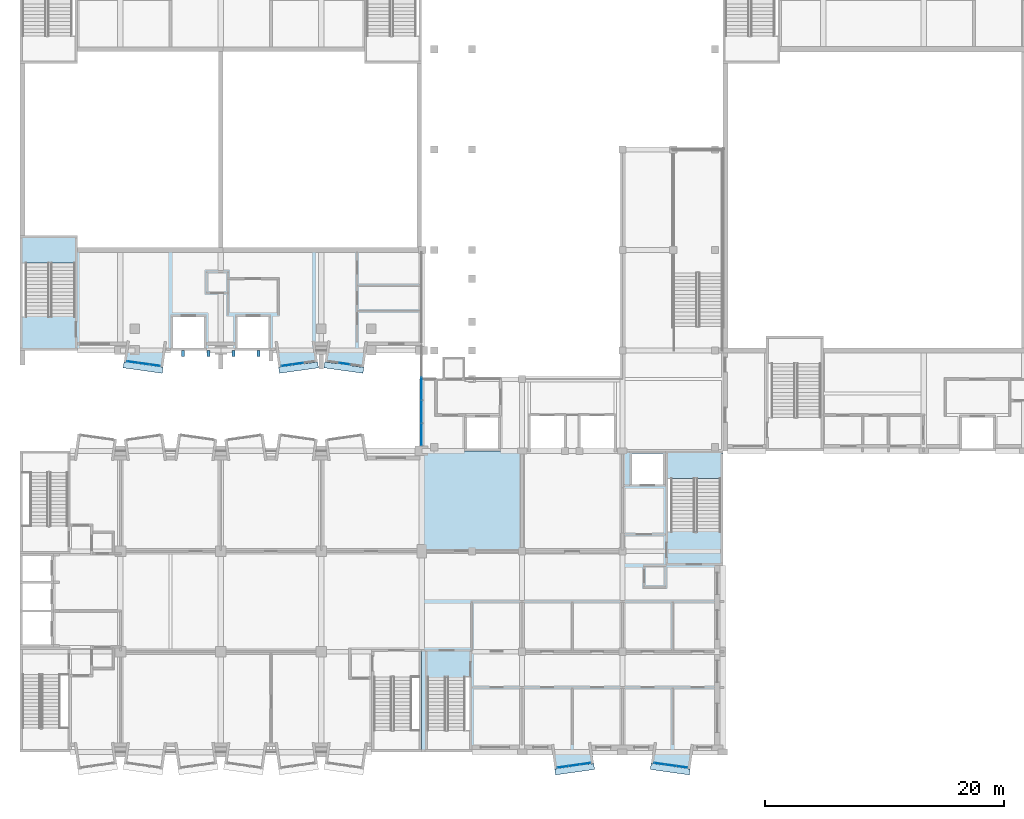
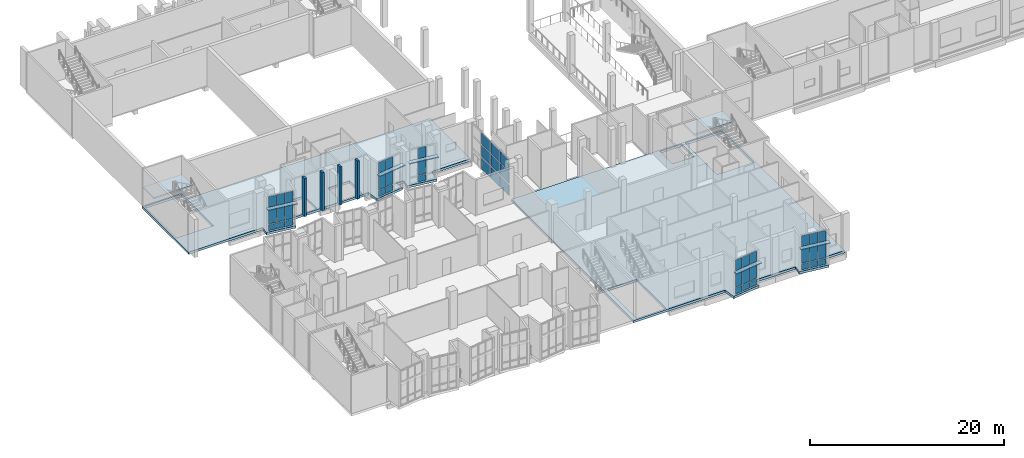
# One storey, part 22 of 91: 54 plates, 4 slabs, 8 elements without a shape of their own.
"""IFC4 building model written with IfcOpenShell, lengths in metres."""

from ifc_helpers import new_model, si_unit, direction, frame, origin, origin_2d, place, context, subcontext, project, spatial, polyline, rectangle, outline, extrude, material, layer, layer_set, type_object, element, aggregate, save


model = new_model("IFC4")

# Units and contexts
model_context = context("Model", 3, precision=1e-05, world=origin(), true_north=direction((0.0, 1.0)))
body_context = subcontext(model_context, "Body", "Model", "MODEL_VIEW")
ifc_project = project(units=[si_unit("LENGTHUNIT", "METRE"), si_unit("AREAUNIT", "SQUARE_METRE"), si_unit("VOLUMEUNIT", "CUBIC_METRE"), si_unit("PLANEANGLEUNIT", "RADIAN"), si_unit("MASSUNIT", "GRAM", prefix="KILO")], contexts=[model_context])

# Site, building, storey
site_placement = place(None, origin())
site = spatial("IfcSite", under=ifc_project, at=site_placement, CompositionType="ELEMENT")
building_placement = place(site_placement, origin())
building = spatial("IfcBuilding", under=site, at=building_placement, Name="Kiln Court Media Centre", CompositionType="ELEMENT")
storey_placement = place(building_placement, frame((0.0, 0.0, 5.39990234375)))
storey = spatial("IfcBuildingStorey", under=building, at=storey_placement, Name="L01", CompositionType="ELEMENT", Elevation=5.39990234375)

# Slabs
ifc_material_1 = material(Name="Concrete C30/37", Category="concrete")
ifc_layer_1 = layer(ifc_material_1, 0.300048828125)
ifc_layer_set_1 = layer_set([ifc_layer_1], Name="Concrete C30/37 floor slab 300")
slab_type_1 = type_object("IfcSlabType", Name="Concrete C30/37 floor slab 300", PredefinedType="FLOOR", material=ifc_layer_set_1)
slab_1_placement = place(storey_placement, frame((0.0, 0.0, -0.2998046875)))
element("IfcSlab", 1, at=slab_1_placement, inside=storey, type_object=slab_type_1, Name="L01-SL-1001", PredefinedType="FLOOR", context=body_context, shape_type="SweptSolid", body=[
    extrude(outline(polyline([(44.733154296875, -1.41845703125), (44.533203125, 0.0), (33.60009765625, 0.0), (33.60009765625, 25.199951171875), (58.800048828125, 25.199951171875), (58.800048828125, 0.0), (56.2666015625, 0.0), (56.06689453125, -1.41845703125), (52.798828125, -0.958984375), (52.933349609375, 0.0), (47.86669921875, 0.0), (48.001220703125, -0.958984375), (44.733154296875, -1.41845703125)]), holes=[polyline([(34.10009765625, 0.199951171875), (37.60009765625, 0.199951171875), (37.60009765625, 6.260009765625), (34.10009765625, 6.260009765625), (34.10009765625, 0.199951171875)]), polyline([(54.199951171875, 18.43994140625), (58.60009765625, 18.43994140625), (58.60009765625, 25.0), (54.199951171875, 25.0), (54.199951171875, 18.43994140625)]), polyline([(51.199951171875, 22.39990234375), (53.800048828125, 22.39990234375), (53.800048828125, 25.0), (51.199951171875, 25.0), (51.199951171875, 22.39990234375)])]), origin(), (0.0, 0.0, 1.0), 0.2998046875),
])
slab_2_placement = place(storey_placement, frame((0.0, 0.0, -0.2998046875)))
element("IfcSlab", 2, at=slab_2_placement, inside=storey, type_object=slab_type_1, Name="L01-SL-1002", PredefinedType="FLOOR", context=body_context, shape_type="SweptSolid", body=[
    extrude(outline(polyline([(11.966796875, 32.181396484375), (8.698974609375, 32.640869140625), (8.833251953125, 33.599609375), (0.0, 33.60009765625), (0.0, 43.199951171875), (4.800048828125, 43.199951171875), (4.800048828125, 42.0), (33.60009765625, 42.0), (33.60009765625, 33.60009765625), (28.966552734375, 33.599609375), (28.766845703125, 32.181396484375), (25.498779296875, 32.640869140625), (25.63330078125, 33.599609375), (24.766845703125, 33.599609375), (24.901123046875, 32.640869140625), (21.633056640625, 32.181396484375), (21.433349609375, 33.599609375), (12.16650390625, 33.599609375), (11.966796875, 32.181396484375)]), holes=[polyline([(12.800048828125, 33.800048828125), (15.39990234375, 33.800048828125), (15.39990234375, 36.39990234375), (12.800048828125, 36.39990234375), (12.800048828125, 33.800048828125)]), polyline([(18.199951171875, 33.800048828125), (20.800048828125, 33.800048828125), (20.800048828125, 36.39990234375), (18.199951171875, 36.39990234375), (18.199951171875, 33.800048828125)]), polyline([(0.199951171875, 36.43994140625), (4.60009765625, 36.43994140625), (4.60009765625, 43.0), (0.199951171875, 43.0), (0.199951171875, 36.43994140625)])]), origin(), (0.0, 0.0, 1.0), 0.2998046875),
])

# Plates
ifc_material_2 = material(Name="Concrete C30/37", Category="concrete")
ifc_layer_2 = layer(ifc_material_2, 0.1201171875)
ifc_layer_set_2 = layer_set([ifc_layer_2], Name="Concrete C30/37 sunshade hood 120")
plate_type_1 = type_object("IfcPlateType", Name="Concrete C30/37 sunshade hood 120", PredefinedType="USERDEFINED", material=ifc_layer_set_2)
plate_1_placement = place(storey_placement, frame((0.0, 0.0, 3.0)))
element("IfcPlate", 3, at=plate_1_placement, inside=storey, type_object=plate_type_1, Name="SUNSHADE V4-S-L01-03", ObjectType="SUNSHADE", PredefinedType="USERDEFINED", context=body_context, shape_type="SweptSolid", body=[
    extrude(outline(polyline([(8.698974609375, 32.641357421875), (11.966796875, 32.181884765625), (11.897216796875, 31.68701171875), (8.62939453125, 32.146240234375), (8.698974609375, 32.641357421875)])), origin(), (0.0, 0.0, 1.0), 0.1201171875),
])
plate_2_placement = place(storey_placement, frame((0.0, 0.0, 3.0)))
element("IfcPlate", 4, at=plate_2_placement, inside=storey, type_object=plate_type_1, Name="SUNSHADE V4-S-L01-06", ObjectType="SUNSHADE", PredefinedType="USERDEFINED", context=body_context, shape_type="SweptSolid", body=[
    extrude(outline(polyline([(21.633056640625, 32.181884765625), (24.90087890625, 32.641357421875), (24.970458984375, 32.146240234375), (21.70263671875, 31.68701171875), (21.633056640625, 32.181884765625)])), origin(), (0.0, 0.0, 1.0), 0.1201171875),
])
plate_3_placement = place(storey_placement, frame((0.0, 0.0, 3.0)))
element("IfcPlate", 5, at=plate_3_placement, inside=storey, type_object=plate_type_1, Name="SUNSHADE V4-S-L01-07", ObjectType="SUNSHADE", PredefinedType="USERDEFINED", context=body_context, shape_type="SweptSolid", body=[
    extrude(outline(polyline([(25.4990234375, 32.641357421875), (28.766845703125, 32.181884765625), (28.697265625, 31.68701171875), (25.429443359375, 32.146240234375), (25.4990234375, 32.641357421875)])), origin(), (0.0, 0.0, 1.0), 0.1201171875),
])
plate_4_placement = place(storey_placement, frame((0.0, 0.0, 3.0)))
element("IfcPlate", 6, at=plate_4_placement, inside=storey, type_object=plate_type_1, Name="SUNSHADE V6B-S-L01-02", ObjectType="SUNSHADE", PredefinedType="USERDEFINED", context=body_context, shape_type="SweptSolid", body=[
    extrude(outline(polyline([(44.733154296875, -1.41796875), (48.0009765625, -0.958740234375), (48.070556640625, -1.453857421875), (44.802734375, -1.9130859375), (44.733154296875, -1.41796875)])), origin(), (0.0, 0.0, 1.0), 0.1201171875),
])
plate_5_placement = place(storey_placement, frame((0.0, 0.0, 3.0)))
element("IfcPlate", 7, at=plate_5_placement, inside=storey, type_object=plate_type_1, Name="SUNSHADE V6B-S-L01-03", ObjectType="SUNSHADE", PredefinedType="USERDEFINED", context=body_context, shape_type="SweptSolid", body=[
    extrude(outline(polyline([(52.799072265625, -0.958740234375), (56.06689453125, -1.41796875), (55.997314453125, -1.9130859375), (52.7294921875, -1.453857421875), (52.799072265625, -0.958740234375)])), origin(), (0.0, 0.0, 1.0), 0.1201171875),
])
ifc_material_3 = material(Name="Concrete C40/50", Category="concrete")
ifc_layer_3 = layer(ifc_material_3, 0.25)
ifc_layer_set_3 = layer_set([ifc_layer_3], Name="Concrete C40/50 shading fin 250")
plate_type_2 = type_object("IfcPlateType", Name="Concrete C40/50 shading fin 250", PredefinedType="SHEET", material=ifc_layer_set_3)
for number, where, z_axis, x_axis, name in (
    (8, (13.64990234375, 33.35009765625, 0.0), (0.0, 0.0, 1.0), (1.0, 0.0, 0.0), "V4 S fin L01"),
    (9, (15.75, 33.35009765625, 0.0), (0.0, 0.0, 1.0), (1.0, 0.0, 0.0), "V4 S fin L01"),
    (10, (17.85009765625, 33.35009765625, 0.0), (0.0, 0.0, 1.0), (1.0, 0.0, 0.0), "V4 S fin L01"),
    (11, (19.949951171875, 33.35009765625, 0.0), (0.0, 0.0, 1.0), (1.0, 0.0, 0.0), "V4 S fin L01"),
):
    element("IfcPlate", number, at=place(storey_placement, frame(where, z_axis=z_axis, x_axis=x_axis)), inside=storey, type_object=plate_type_2, Name=name, PredefinedType="SHEET", context=body_context, shape_type="SweptSolid", body=[
        extrude(rectangle(XDim=0.25, YDim=0.5, at=origin_2d()), origin(), (0.0, 0.0, 1.0), 4.800048828125),
    ])

# Stair, slab
ifc_material_4 = material(Name="Concrete C40/50", Category="concrete")
stair_type = type_object("IfcStairType", Name="Concrete C40/50 dog-leg stair 2000 wide, 150 riser", PredefinedType="HALF_TURN_STAIR", material=ifc_material_4)
stair_1_placement = place(storey_placement, origin())
stair_1 = element("IfcStair", 12, at=stair_1_placement, inside=storey, type_object=stair_type, Name="ST-05 L01", PredefinedType="HALF_TURN_STAIR")
ifc_material_5 = material(Name="Concrete C40/50", Category="concrete")
ifc_layer_4 = layer(ifc_material_5, 0.199951171875)
ifc_layer_set_4 = layer_set([ifc_layer_4], Name="Concrete C40/50 stair landing 200")
slab_type_2 = type_object("IfcSlabType", Name="Concrete C40/50 stair landing 200", PredefinedType="LANDING", material=ifc_layer_set_4)
slab_3_placement = place(storey_placement, frame((0.0, 0.0, 2.2001953125)))
slab_3 = element("IfcSlab", 13, at=slab_3_placement, type_object=slab_type_2, Name="L01-ST-5004 landing 5004", PredefinedType="LANDING", context=body_context, shape_type="SweptSolid", body=[
    extrude(outline(polyline([(58.719970703125, 22.89990234375), (58.719970703125, 25.1201171875), (54.080078125, 25.1201171875), (54.080078125, 22.89990234375), (58.719970703125, 22.89990234375)])), origin(), (0.0, 0.0, 1.0), 0.199951171875),
])
aggregate(stair_1, [slab_3])

stair_2_placement = place(storey_placement, origin())
stair_2 = element("IfcStair", 14, at=stair_2_placement, inside=storey, type_object=stair_type, Name="ST-06 L01", PredefinedType="HALF_TURN_STAIR")
slab_4_placement = place(storey_placement, frame((0.0, 0.0, 2.2001953125)))
slab_4 = element("IfcSlab", 15, at=slab_4_placement, type_object=slab_type_2, Name="L01-ST-5005 landing 5005", PredefinedType="LANDING", context=body_context, shape_type="SweptSolid", body=[
    extrude(outline(polyline([(4.719970703125, 40.89990234375), (4.719970703125, 43.1201171875), (0.080078125, 43.1201171875), (0.080078125, 40.89990234375), (4.719970703125, 40.89990234375)])), origin(), (0.0, 0.0, 1.0), 0.199951171875),
])
aggregate(stair_2, [slab_4])

# Curtain wall, plates
ifc_material_6 = material(Name="Aluminium 6063-T6", Category="aluminium")
ifc_layer_5 = layer(ifc_material_6, 0.1201171875)
ifc_layer_set_5 = layer_set([ifc_layer_5], Name="Aluminium unitised bay curtain wall")
curtain_wall_type_1 = type_object("IfcCurtainWallType", Name="Aluminium unitised bay curtain wall", PredefinedType="USERDEFINED", material=ifc_layer_set_5)
curtain_wall_1_placement = place(storey_placement, origin())
curtain_wall_1 = element("IfcCurtainWall", 16, at=curtain_wall_1_placement, inside=storey, type_object=curtain_wall_type_1, Name="BAY V4-S-L01-03 front", ObjectType="UNITISED CURTAIN WALL", PredefinedType="USERDEFINED")
ifc_material_7 = material(Name="Aluminium insulated spandrel", Category="aluminium")
ifc_layer_6 = layer(ifc_material_7, 0.028076171875)
ifc_layer_set_6 = layer_set([ifc_layer_6], Name="Insulated spandrel panel 28")
plate_type_3 = type_object("IfcPlateType", Name="Insulated spandrel panel 28", PredefinedType="CURTAIN_PANEL", material=ifc_layer_set_6)
plate_6_placement = place(storey_placement, frame((9.41162109375, 32.621826171875, 0.1201171875), z_axis=(0.0, 0.0, 1.0), x_axis=(0.990269562409, -0.139162472554, 0.0)))
plate_6 = element("IfcPlate", 17, at=plate_6_placement, type_object=plate_type_3, Name="CW1-01 panel 1.1", PredefinedType="CURTAIN_PANEL", context=body_context, shape_type="SweptSolid", body=[
    extrude(rectangle(XDim=0.86669921875, YDim=0.028076171875, at=origin_2d()), origin(), (0.0, 0.0, 1.0), 0.719970703125),
])
plate_7_placement = place(storey_placement, frame((10.34423828125, 32.490966796875, 0.1201171875), z_axis=(0.0, 0.0, 1.0), x_axis=(0.990269562409, -0.139162472554, 0.0)))
plate_7 = element("IfcPlate", 18, at=plate_7_placement, type_object=plate_type_3, Name="CW1-01 panel 2.1", PredefinedType="CURTAIN_PANEL", context=body_context, shape_type="SweptSolid", body=[
    extrude(rectangle(XDim=0.896728515625, YDim=0.028076171875, at=origin_2d()), origin(), (0.0, 0.0, 1.0), 0.719970703125),
])
plate_8_placement = place(storey_placement, frame((11.276611328125, 32.35986328125, 0.1201171875), z_axis=(0.0, 0.0, 1.0), x_axis=(0.990269562409, -0.139162472554, 0.0)))
plate_8 = element("IfcPlate", 19, at=plate_8_placement, type_object=plate_type_3, Name="CW1-01 panel 3.1", PredefinedType="CURTAIN_PANEL", context=body_context, shape_type="SweptSolid", body=[
    extrude(rectangle(XDim=0.86669921875, YDim=0.028076171875, at=origin_2d()), origin(), (0.0, 0.0, 1.0), 0.719970703125),
])

curtain_wall_2_placement = place(storey_placement, origin())
curtain_wall_2 = element("IfcCurtainWall", 20, at=curtain_wall_2_placement, inside=storey, type_object=curtain_wall_type_1, Name="BAY V4-S-L01-06 front", ObjectType="UNITISED CURTAIN WALL", PredefinedType="USERDEFINED")
plate_9_placement = place(storey_placement, frame((22.3232421875, 32.35986328125, 0.1201171875), z_axis=(0.0, 0.0, 1.0), x_axis=(0.990269562409, 0.139162472554, 0.0)))
plate_9 = element("IfcPlate", 21, at=plate_9_placement, type_object=plate_type_3, Name="CW1-02 panel 1.1", PredefinedType="CURTAIN_PANEL", context=body_context, shape_type="SweptSolid", body=[
    extrude(rectangle(XDim=0.86669921875, YDim=0.028076171875, at=origin_2d()), origin(), (0.0, 0.0, 1.0), 0.719970703125),
])
plate_10_placement = place(storey_placement, frame((23.255859375, 32.490966796875, 0.1201171875), z_axis=(0.0, 0.0, 1.0), x_axis=(0.990269562409, 0.139162472554, 0.0)))
plate_10 = element("IfcPlate", 22, at=plate_10_placement, type_object=plate_type_3, Name="CW1-02 panel 2.1", PredefinedType="CURTAIN_PANEL", context=body_context, shape_type="SweptSolid", body=[
    extrude(rectangle(XDim=0.896728515625, YDim=0.028076171875, at=origin_2d()), origin(), (0.0, 0.0, 1.0), 0.719970703125),
])

# Curtain wall, plate
curtain_wall_3_placement = place(storey_placement, origin())
curtain_wall_3 = element("IfcCurtainWall", 23, at=curtain_wall_3_placement, inside=storey, type_object=curtain_wall_type_1, Name="BAY V4-S-L01-07 front", ObjectType="UNITISED CURTAIN WALL", PredefinedType="USERDEFINED")
plate_11_placement = place(storey_placement, frame((27.14404296875, 32.490966796875, 0.1201171875), z_axis=(0.0, 0.0, 1.0), x_axis=(0.990269562409, -0.139162472554, 0.0)))
plate_11 = element("IfcPlate", 24, at=plate_11_placement, type_object=plate_type_3, Name="CW1-03 panel 2.1", PredefinedType="CURTAIN_PANEL", context=body_context, shape_type="SweptSolid", body=[
    extrude(rectangle(XDim=0.896728515625, YDim=0.028076171875, at=origin_2d()), origin(), (0.0, 0.0, 1.0), 0.719970703125),
])

# Curtain wall, plates
curtain_wall_4_placement = place(storey_placement, origin())
curtain_wall_4 = element("IfcCurtainWall", 25, at=curtain_wall_4_placement, inside=storey, type_object=curtain_wall_type_1, Name="BAY V6B-S-L01-02 front", ObjectType="UNITISED CURTAIN WALL", PredefinedType="USERDEFINED")
plate_12_placement = place(storey_placement, frame((45.42333984375, -1.240234375, 0.1201171875), z_axis=(0.0, 0.0, 1.0), x_axis=(0.990269562409, 0.139162472554, 0.0)))
plate_12 = element("IfcPlate", 26, at=plate_12_placement, type_object=plate_type_3, Name="CW1-16 panel 1.1", PredefinedType="CURTAIN_PANEL", context=body_context, shape_type="SweptSolid", body=[
    extrude(rectangle(XDim=0.86669921875, YDim=0.028076171875, at=origin_2d()), origin(), (0.0, 0.0, 1.0), 0.719970703125),
])
plate_13_placement = place(storey_placement, frame((46.35595703125, -1.109130859375, 0.1201171875), z_axis=(0.0, 0.0, 1.0), x_axis=(0.990269562409, 0.139162472554, 0.0)))
plate_13 = element("IfcPlate", 27, at=plate_13_placement, type_object=plate_type_3, Name="CW1-16 panel 2.1", PredefinedType="CURTAIN_PANEL", context=body_context, shape_type="SweptSolid", body=[
    extrude(rectangle(XDim=0.896728515625, YDim=0.028076171875, at=origin_2d()), origin(), (0.0, 0.0, 1.0), 0.719970703125),
])
plate_14_placement = place(storey_placement, frame((47.288330078125, -0.97802734375, 0.1201171875), z_axis=(0.0, 0.0, 1.0), x_axis=(0.990269562409, 0.139162472554, 0.0)))
plate_14 = element("IfcPlate", 28, at=plate_14_placement, type_object=plate_type_3, Name="CW1-16 panel 3.1", PredefinedType="CURTAIN_PANEL", context=body_context, shape_type="SweptSolid", body=[
    extrude(rectangle(XDim=0.86669921875, YDim=0.028076171875, at=origin_2d()), origin(), (0.0, 0.0, 1.0), 0.719970703125),
])

curtain_wall_5_placement = place(storey_placement, origin())
curtain_wall_5 = element("IfcCurtainWall", 29, at=curtain_wall_5_placement, inside=storey, type_object=curtain_wall_type_1, Name="BAY V6B-S-L01-03 front", ObjectType="UNITISED CURTAIN WALL", PredefinedType="USERDEFINED")
plate_15_placement = place(storey_placement, frame((53.51171875, -0.97802734375, 0.1201171875), z_axis=(0.0, 0.0, 1.0), x_axis=(0.990269562409, -0.139162472554, 0.0)))
plate_15 = element("IfcPlate", 30, at=plate_15_placement, type_object=plate_type_3, Name="CW1-17 panel 1.1", PredefinedType="CURTAIN_PANEL", context=body_context, shape_type="SweptSolid", body=[
    extrude(rectangle(XDim=0.86669921875, YDim=0.028076171875, at=origin_2d()), origin(), (0.0, 0.0, 1.0), 0.719970703125),
])
plate_16_placement = place(storey_placement, frame((54.444091796875, -1.109130859375, 0.1201171875), z_axis=(0.0, 0.0, 1.0), x_axis=(0.990269562409, -0.139162472554, 0.0)))
plate_16 = element("IfcPlate", 31, at=plate_16_placement, type_object=plate_type_3, Name="CW1-17 panel 2.1", PredefinedType="CURTAIN_PANEL", context=body_context, shape_type="SweptSolid", body=[
    extrude(rectangle(XDim=0.896728515625, YDim=0.028076171875, at=origin_2d()), origin(), (0.0, 0.0, 1.0), 0.719970703125),
])
plate_17_placement = place(storey_placement, frame((55.376708984375, -1.240234375, 0.1201171875), z_axis=(0.0, 0.0, 1.0), x_axis=(0.990269562409, -0.139162472554, 0.0)))
plate_17 = element("IfcPlate", 32, at=plate_17_placement, type_object=plate_type_3, Name="CW1-17 panel 3.1", PredefinedType="CURTAIN_PANEL", context=body_context, shape_type="SweptSolid", body=[
    extrude(rectangle(XDim=0.86669921875, YDim=0.028076171875, at=origin_2d()), origin(), (0.0, 0.0, 1.0), 0.719970703125),
])

ifc_material_8 = material(Name="Aluminium 6063-T6", Category="aluminium")
ifc_layer_7 = layer(ifc_material_8, 0.1201171875)
ifc_layer_set_7 = layer_set([ifc_layer_7], Name="Aluminium stick curtain wall, gallery")
curtain_wall_type_2 = type_object("IfcCurtainWallType", Name="Aluminium stick curtain wall, gallery", PredefinedType="USERDEFINED", material=ifc_layer_set_7)
curtain_wall_6_placement = place(storey_placement, origin())
curtain_wall_6 = element("IfcCurtainWall", 33, at=curtain_wall_6_placement, inside=storey, type_object=curtain_wall_type_2, Name="Foyer west glazing L01", ObjectType="STICK CURTAIN WALL", PredefinedType="USERDEFINED")
ifc_material_9 = material(Name="Laminated low-E glazing", Category="glass")
ifc_layer_8 = layer(ifc_material_9, 0.033935546875)
ifc_layer_set_8 = layer_set([ifc_layer_8], Name="Laminated low-E glazed panel 34")
plate_type_4 = type_object("IfcPlateType", Name="Laminated low-E glazed panel 34", PredefinedType="CURTAIN_PANEL", material=ifc_layer_set_8)
plate_18_placement = place(storey_placement, frame((33.60009765625, 26.5712890625, 0.14013671875), z_axis=(0.0, 0.0, 1.0), x_axis=(0.0, 1.0, 0.0)))
plate_18 = element("IfcPlate", 34, at=plate_18_placement, type_object=plate_type_4, Name="CW1-62 panel 1.1", PredefinedType="CURTAIN_PANEL", context=body_context, shape_type="SweptSolid", body=[
    extrude(rectangle(XDim=1.822509765625, YDim=0.033935546875, at=origin_2d()), origin(), (0.0, 0.0, 1.0), 1.389892578125),
])
plate_19_placement = place(storey_placement, frame((33.60009765625, 26.5712890625, 1.670166015625), z_axis=(0.0, 0.0, 1.0), x_axis=(0.0, 1.0, 0.0)))
plate_19 = element("IfcPlate", 35, at=plate_19_placement, type_object=plate_type_4, Name="CW1-62 panel 1.2", PredefinedType="CURTAIN_PANEL", context=body_context, shape_type="SweptSolid", body=[
    extrude(rectangle(XDim=1.822509765625, YDim=0.033935546875, at=origin_2d()), origin(), (0.0, 0.0, 1.0), 1.4599609375),
])
plate_20_placement = place(storey_placement, frame((33.60009765625, 26.5712890625, 3.27001953125), z_axis=(0.0, 0.0, 1.0), x_axis=(0.0, 1.0, 0.0)))
plate_20 = element("IfcPlate", 36, at=plate_20_placement, type_object=plate_type_4, Name="CW1-62 panel 1.3", PredefinedType="CURTAIN_PANEL", context=body_context, shape_type="SweptSolid", body=[
    extrude(rectangle(XDim=1.822509765625, YDim=0.033935546875, at=origin_2d()), origin(), (0.0, 0.0, 1.0), 1.389892578125),
])
plate_21_placement = place(storey_placement, frame((33.60009765625, 28.46875, 0.14013671875), z_axis=(0.0, 0.0, 1.0), x_axis=(0.0, 1.0, 0.0)))
plate_21 = element("IfcPlate", 37, at=plate_21_placement, type_object=plate_type_4, Name="CW1-62 panel 2.1", PredefinedType="CURTAIN_PANEL", context=body_context, shape_type="SweptSolid", body=[
    extrude(rectangle(XDim=1.8525390625, YDim=0.033935546875, at=origin_2d()), origin(), (0.0, 0.0, 1.0), 1.389892578125),
])
plate_22_placement = place(storey_placement, frame((33.60009765625, 28.46875, 1.670166015625), z_axis=(0.0, 0.0, 1.0), x_axis=(0.0, 1.0, 0.0)))
plate_22 = element("IfcPlate", 38, at=plate_22_placement, type_object=plate_type_4, Name="CW1-62 panel 2.2", PredefinedType="CURTAIN_PANEL", context=body_context, shape_type="SweptSolid", body=[
    extrude(rectangle(XDim=1.8525390625, YDim=0.033935546875, at=origin_2d()), origin(), (0.0, 0.0, 1.0), 1.4599609375),
])
plate_23_placement = place(storey_placement, frame((33.60009765625, 28.46875, 3.27001953125), z_axis=(0.0, 0.0, 1.0), x_axis=(0.0, 1.0, 0.0)))
plate_23 = element("IfcPlate", 39, at=plate_23_placement, type_object=plate_type_4, Name="CW1-62 panel 2.3", PredefinedType="CURTAIN_PANEL", context=body_context, shape_type="SweptSolid", body=[
    extrude(rectangle(XDim=1.8525390625, YDim=0.033935546875, at=origin_2d()), origin(), (0.0, 0.0, 1.0), 1.389892578125),
])
plate_24_placement = place(storey_placement, frame((33.60009765625, 30.38134765625, 0.14013671875), z_axis=(0.0, 0.0, 1.0), x_axis=(0.0, 1.0, 0.0)))
plate_24 = element("IfcPlate", 40, at=plate_24_placement, type_object=plate_type_4, Name="CW1-62 panel 3.1", PredefinedType="CURTAIN_PANEL", context=body_context, shape_type="SweptSolid", body=[
    extrude(rectangle(XDim=1.8525390625, YDim=0.033935546875, at=origin_2d()), origin(), (0.0, 0.0, 1.0), 1.389892578125),
])
plate_25_placement = place(storey_placement, frame((33.60009765625, 30.38134765625, 1.670166015625), z_axis=(0.0, 0.0, 1.0), x_axis=(0.0, 1.0, 0.0)))
plate_25 = element("IfcPlate", 41, at=plate_25_placement, type_object=plate_type_4, Name="CW1-62 panel 3.2", PredefinedType="CURTAIN_PANEL", context=body_context, shape_type="SweptSolid", body=[
    extrude(rectangle(XDim=1.8525390625, YDim=0.033935546875, at=origin_2d()), origin(), (0.0, 0.0, 1.0), 1.4599609375),
])
plate_26_placement = place(storey_placement, frame((33.60009765625, 30.38134765625, 3.27001953125), z_axis=(0.0, 0.0, 1.0), x_axis=(0.0, 1.0, 0.0)))
plate_26 = element("IfcPlate", 42, at=plate_26_placement, type_object=plate_type_4, Name="CW1-62 panel 3.3", PredefinedType="CURTAIN_PANEL", context=body_context, shape_type="SweptSolid", body=[
    extrude(rectangle(XDim=1.8525390625, YDim=0.033935546875, at=origin_2d()), origin(), (0.0, 0.0, 1.0), 1.389892578125),
])
aggregate(curtain_wall_6, [plate_18, plate_19, plate_20, plate_21, plate_22, plate_23, plate_24, plate_25, plate_26])

# Plate
ifc_material_10 = material(Name="Low-E double glazing", Category="glass")
ifc_layer_9 = layer(ifc_material_10, 0.028076171875)
ifc_layer_set_9 = layer_set([ifc_layer_9], Name="Low-E double glazed panel 28")
plate_type_5 = type_object("IfcPlateType", Name="Low-E double glazed panel 28", PredefinedType="CURTAIN_PANEL", material=ifc_layer_set_9)
plate_27_placement = place(storey_placement, frame((9.41162109375, 32.621826171875, 0.960205078125), z_axis=(0.0, 0.0, 1.0), x_axis=(0.990269562409, -0.139162472554, 0.0)))
plate_27 = element("IfcPlate", 43, at=plate_27_placement, type_object=plate_type_5, Name="CW1-01 panel 1.2", PredefinedType="CURTAIN_PANEL", context=body_context, shape_type="SweptSolid", body=[
    extrude(rectangle(XDim=0.86669921875, YDim=0.028076171875, at=origin_2d()), origin(), (0.0, 0.0, 1.0), 1.97998046875),
])

plate_28_placement = place(storey_placement, frame((9.41162109375, 32.621826171875, 3.06005859375), z_axis=(0.0, 0.0, 1.0), x_axis=(0.990269562409, -0.139162472554, 0.0)))
plate_28 = element("IfcPlate", 44, at=plate_28_placement, type_object=plate_type_5, Name="CW1-01 panel 1.3", PredefinedType="CURTAIN_PANEL", context=body_context, shape_type="SweptSolid", body=[
    extrude(rectangle(XDim=0.86669921875, YDim=0.028076171875, at=origin_2d()), origin(), (0.0, 0.0, 1.0), 1.320068359375),
])

plate_29_placement = place(storey_placement, frame((10.34423828125, 32.490966796875, 0.960205078125), z_axis=(0.0, 0.0, 1.0), x_axis=(0.990269562409, -0.139162472554, 0.0)))
plate_29 = element("IfcPlate", 45, at=plate_29_placement, type_object=plate_type_5, Name="CW1-01 panel 2.2", PredefinedType="CURTAIN_PANEL", context=body_context, shape_type="SweptSolid", body=[
    extrude(rectangle(XDim=0.896728515625, YDim=0.028076171875, at=origin_2d()), origin(), (0.0, 0.0, 1.0), 1.97998046875),
])

plate_30_placement = place(storey_placement, frame((10.34423828125, 32.490966796875, 3.06005859375), z_axis=(0.0, 0.0, 1.0), x_axis=(0.990269562409, -0.139162472554, 0.0)))
plate_30 = element("IfcPlate", 46, at=plate_30_placement, type_object=plate_type_5, Name="CW1-01 panel 2.3", PredefinedType="CURTAIN_PANEL", context=body_context, shape_type="SweptSolid", body=[
    extrude(rectangle(XDim=0.896728515625, YDim=0.028076171875, at=origin_2d()), origin(), (0.0, 0.0, 1.0), 1.320068359375),
])

plate_31_placement = place(storey_placement, frame((11.276611328125, 32.35986328125, 0.960205078125), z_axis=(0.0, 0.0, 1.0), x_axis=(0.990269562409, -0.139162472554, 0.0)))
plate_31 = element("IfcPlate", 47, at=plate_31_placement, type_object=plate_type_5, Name="CW1-01 panel 3.2", PredefinedType="CURTAIN_PANEL", context=body_context, shape_type="SweptSolid", body=[
    extrude(rectangle(XDim=0.86669921875, YDim=0.028076171875, at=origin_2d()), origin(), (0.0, 0.0, 1.0), 1.97998046875),
])

plate_32_placement = place(storey_placement, frame((11.276611328125, 32.35986328125, 3.06005859375), z_axis=(0.0, 0.0, 1.0), x_axis=(0.990269562409, -0.139162472554, 0.0)))
plate_32 = element("IfcPlate", 48, at=plate_32_placement, type_object=plate_type_5, Name="CW1-01 panel 3.3", PredefinedType="CURTAIN_PANEL", context=body_context, shape_type="SweptSolid", body=[
    extrude(rectangle(XDim=0.86669921875, YDim=0.028076171875, at=origin_2d()), origin(), (0.0, 0.0, 1.0), 1.320068359375),
])

aggregate(curtain_wall_1, [plate_6, plate_27, plate_28, plate_7, plate_29, plate_30, plate_8, plate_31, plate_32])

plate_33_placement = place(storey_placement, frame((22.3232421875, 32.35986328125, 0.960205078125), z_axis=(0.0, 0.0, 1.0), x_axis=(0.990269562409, 0.139162472554, 0.0)))
plate_33 = element("IfcPlate", 49, at=plate_33_placement, type_object=plate_type_5, Name="CW1-02 panel 1.2", PredefinedType="CURTAIN_PANEL", context=body_context, shape_type="SweptSolid", body=[
    extrude(rectangle(XDim=0.86669921875, YDim=0.028076171875, at=origin_2d()), origin(), (0.0, 0.0, 1.0), 1.97998046875),
])

plate_34_placement = place(storey_placement, frame((22.3232421875, 32.35986328125, 3.06005859375), z_axis=(0.0, 0.0, 1.0), x_axis=(0.990269562409, 0.139162472554, 0.0)))
plate_34 = element("IfcPlate", 50, at=plate_34_placement, type_object=plate_type_5, Name="CW1-02 panel 1.3", PredefinedType="CURTAIN_PANEL", context=body_context, shape_type="SweptSolid", body=[
    extrude(rectangle(XDim=0.86669921875, YDim=0.028076171875, at=origin_2d()), origin(), (0.0, 0.0, 1.0), 1.320068359375),
])

plate_35_placement = place(storey_placement, frame((23.255859375, 32.490966796875, 0.960205078125), z_axis=(0.0, 0.0, 1.0), x_axis=(0.990269562409, 0.139162472554, 0.0)))
plate_35 = element("IfcPlate", 51, at=plate_35_placement, type_object=plate_type_5, Name="CW1-02 panel 2.2", PredefinedType="CURTAIN_PANEL", context=body_context, shape_type="SweptSolid", body=[
    extrude(rectangle(XDim=0.896728515625, YDim=0.028076171875, at=origin_2d()), origin(), (0.0, 0.0, 1.0), 1.97998046875),
])

plate_36_placement = place(storey_placement, frame((23.255859375, 32.490966796875, 3.06005859375), z_axis=(0.0, 0.0, 1.0), x_axis=(0.990269562409, 0.139162472554, 0.0)))
plate_36 = element("IfcPlate", 52, at=plate_36_placement, type_object=plate_type_5, Name="CW1-02 panel 2.3", PredefinedType="CURTAIN_PANEL", context=body_context, shape_type="SweptSolid", body=[
    extrude(rectangle(XDim=0.896728515625, YDim=0.028076171875, at=origin_2d()), origin(), (0.0, 0.0, 1.0), 1.320068359375),
])

aggregate(curtain_wall_2, [plate_9, plate_33, plate_34, plate_10, plate_35, plate_36])

plate_37_placement = place(storey_placement, frame((27.14404296875, 32.490966796875, 0.960205078125), z_axis=(0.0, 0.0, 1.0), x_axis=(0.990269562409, -0.139162472554, 0.0)))
plate_37 = element("IfcPlate", 53, at=plate_37_placement, type_object=plate_type_5, Name="CW1-03 panel 2.2", PredefinedType="CURTAIN_PANEL", context=body_context, shape_type="SweptSolid", body=[
    extrude(rectangle(XDim=0.896728515625, YDim=0.028076171875, at=origin_2d()), origin(), (0.0, 0.0, 1.0), 1.97998046875),
])

plate_38_placement = place(storey_placement, frame((27.14404296875, 32.490966796875, 3.06005859375), z_axis=(0.0, 0.0, 1.0), x_axis=(0.990269562409, -0.139162472554, 0.0)))
plate_38 = element("IfcPlate", 54, at=plate_38_placement, type_object=plate_type_5, Name="CW1-03 panel 2.3", PredefinedType="CURTAIN_PANEL", context=body_context, shape_type="SweptSolid", body=[
    extrude(rectangle(XDim=0.896728515625, YDim=0.028076171875, at=origin_2d()), origin(), (0.0, 0.0, 1.0), 1.320068359375),
])

aggregate(curtain_wall_3, [plate_11, plate_37, plate_38])

plate_39_placement = place(storey_placement, frame((45.42333984375, -1.240234375, 0.960205078125), z_axis=(0.0, 0.0, 1.0), x_axis=(0.990269562409, 0.139162472554, 0.0)))
plate_39 = element("IfcPlate", 55, at=plate_39_placement, type_object=plate_type_5, Name="CW1-16 panel 1.2", PredefinedType="CURTAIN_PANEL", context=body_context, shape_type="SweptSolid", body=[
    extrude(rectangle(XDim=0.86669921875, YDim=0.028076171875, at=origin_2d()), origin(), (0.0, 0.0, 1.0), 1.97998046875),
])

plate_40_placement = place(storey_placement, frame((45.42333984375, -1.240234375, 3.06005859375), z_axis=(0.0, 0.0, 1.0), x_axis=(0.990269562409, 0.139162472554, 0.0)))
plate_40 = element("IfcPlate", 56, at=plate_40_placement, type_object=plate_type_5, Name="CW1-16 panel 1.3", PredefinedType="CURTAIN_PANEL", context=body_context, shape_type="SweptSolid", body=[
    extrude(rectangle(XDim=0.86669921875, YDim=0.028076171875, at=origin_2d()), origin(), (0.0, 0.0, 1.0), 1.320068359375),
])

plate_41_placement = place(storey_placement, frame((46.35595703125, -1.109130859375, 0.960205078125), z_axis=(0.0, 0.0, 1.0), x_axis=(0.990269562409, 0.139162472554, 0.0)))
plate_41 = element("IfcPlate", 57, at=plate_41_placement, type_object=plate_type_5, Name="CW1-16 panel 2.2", PredefinedType="CURTAIN_PANEL", context=body_context, shape_type="SweptSolid", body=[
    extrude(rectangle(XDim=0.896728515625, YDim=0.028076171875, at=origin_2d()), origin(), (0.0, 0.0, 1.0), 1.97998046875),
])

plate_42_placement = place(storey_placement, frame((46.35595703125, -1.109130859375, 3.06005859375), z_axis=(0.0, 0.0, 1.0), x_axis=(0.990269562409, 0.139162472554, 0.0)))
plate_42 = element("IfcPlate", 58, at=plate_42_placement, type_object=plate_type_5, Name="CW1-16 panel 2.3", PredefinedType="CURTAIN_PANEL", context=body_context, shape_type="SweptSolid", body=[
    extrude(rectangle(XDim=0.896728515625, YDim=0.028076171875, at=origin_2d()), origin(), (0.0, 0.0, 1.0), 1.320068359375),
])

plate_43_placement = place(storey_placement, frame((47.288330078125, -0.97802734375, 0.960205078125), z_axis=(0.0, 0.0, 1.0), x_axis=(0.990269562409, 0.139162472554, 0.0)))
plate_43 = element("IfcPlate", 59, at=plate_43_placement, type_object=plate_type_5, Name="CW1-16 panel 3.2", PredefinedType="CURTAIN_PANEL", context=body_context, shape_type="SweptSolid", body=[
    extrude(rectangle(XDim=0.86669921875, YDim=0.028076171875, at=origin_2d()), origin(), (0.0, 0.0, 1.0), 1.97998046875),
])

plate_44_placement = place(storey_placement, frame((47.288330078125, -0.97802734375, 3.06005859375), z_axis=(0.0, 0.0, 1.0), x_axis=(0.990269562409, 0.139162472554, 0.0)))
plate_44 = element("IfcPlate", 60, at=plate_44_placement, type_object=plate_type_5, Name="CW1-16 panel 3.3", PredefinedType="CURTAIN_PANEL", context=body_context, shape_type="SweptSolid", body=[
    extrude(rectangle(XDim=0.86669921875, YDim=0.028076171875, at=origin_2d()), origin(), (0.0, 0.0, 1.0), 1.320068359375),
])

aggregate(curtain_wall_4, [plate_12, plate_39, plate_40, plate_13, plate_41, plate_42, plate_14, plate_43, plate_44])

plate_45_placement = place(storey_placement, frame((53.51171875, -0.97802734375, 0.960205078125), z_axis=(0.0, 0.0, 1.0), x_axis=(0.990269562409, -0.139162472554, 0.0)))
plate_45 = element("IfcPlate", 61, at=plate_45_placement, type_object=plate_type_5, Name="CW1-17 panel 1.2", PredefinedType="CURTAIN_PANEL", context=body_context, shape_type="SweptSolid", body=[
    extrude(rectangle(XDim=0.86669921875, YDim=0.028076171875, at=origin_2d()), origin(), (0.0, 0.0, 1.0), 1.97998046875),
])

plate_46_placement = place(storey_placement, frame((53.51171875, -0.97802734375, 3.06005859375), z_axis=(0.0, 0.0, 1.0), x_axis=(0.990269562409, -0.139162472554, 0.0)))
plate_46 = element("IfcPlate", 62, at=plate_46_placement, type_object=plate_type_5, Name="CW1-17 panel 1.3", PredefinedType="CURTAIN_PANEL", context=body_context, shape_type="SweptSolid", body=[
    extrude(rectangle(XDim=0.86669921875, YDim=0.028076171875, at=origin_2d()), origin(), (0.0, 0.0, 1.0), 1.320068359375),
])

plate_47_placement = place(storey_placement, frame((54.444091796875, -1.109130859375, 0.960205078125), z_axis=(0.0, 0.0, 1.0), x_axis=(0.990269562409, -0.139162472554, 0.0)))
plate_47 = element("IfcPlate", 63, at=plate_47_placement, type_object=plate_type_5, Name="CW1-17 panel 2.2", PredefinedType="CURTAIN_PANEL", context=body_context, shape_type="SweptSolid", body=[
    extrude(rectangle(XDim=0.896728515625, YDim=0.028076171875, at=origin_2d()), origin(), (0.0, 0.0, 1.0), 1.97998046875),
])

plate_48_placement = place(storey_placement, frame((54.444091796875, -1.109130859375, 3.06005859375), z_axis=(0.0, 0.0, 1.0), x_axis=(0.990269562409, -0.139162472554, 0.0)))
plate_48 = element("IfcPlate", 64, at=plate_48_placement, type_object=plate_type_5, Name="CW1-17 panel 2.3", PredefinedType="CURTAIN_PANEL", context=body_context, shape_type="SweptSolid", body=[
    extrude(rectangle(XDim=0.896728515625, YDim=0.028076171875, at=origin_2d()), origin(), (0.0, 0.0, 1.0), 1.320068359375),
])

plate_49_placement = place(storey_placement, frame((55.376708984375, -1.240234375, 0.960205078125), z_axis=(0.0, 0.0, 1.0), x_axis=(0.990269562409, -0.139162472554, 0.0)))
plate_49 = element("IfcPlate", 65, at=plate_49_placement, type_object=plate_type_5, Name="CW1-17 panel 3.2", PredefinedType="CURTAIN_PANEL", context=body_context, shape_type="SweptSolid", body=[
    extrude(rectangle(XDim=0.86669921875, YDim=0.028076171875, at=origin_2d()), origin(), (0.0, 0.0, 1.0), 1.97998046875),
])

plate_50_placement = place(storey_placement, frame((55.376708984375, -1.240234375, 3.06005859375), z_axis=(0.0, 0.0, 1.0), x_axis=(0.990269562409, -0.139162472554, 0.0)))
plate_50 = element("IfcPlate", 66, at=plate_50_placement, type_object=plate_type_5, Name="CW1-17 panel 3.3", PredefinedType="CURTAIN_PANEL", context=body_context, shape_type="SweptSolid", body=[
    extrude(rectangle(XDim=0.86669921875, YDim=0.028076171875, at=origin_2d()), origin(), (0.0, 0.0, 1.0), 1.320068359375),
])

aggregate(curtain_wall_5, [plate_15, plate_45, plate_46, plate_16, plate_47, plate_48, plate_17, plate_49, plate_50])

save(model, "model.ifc")
